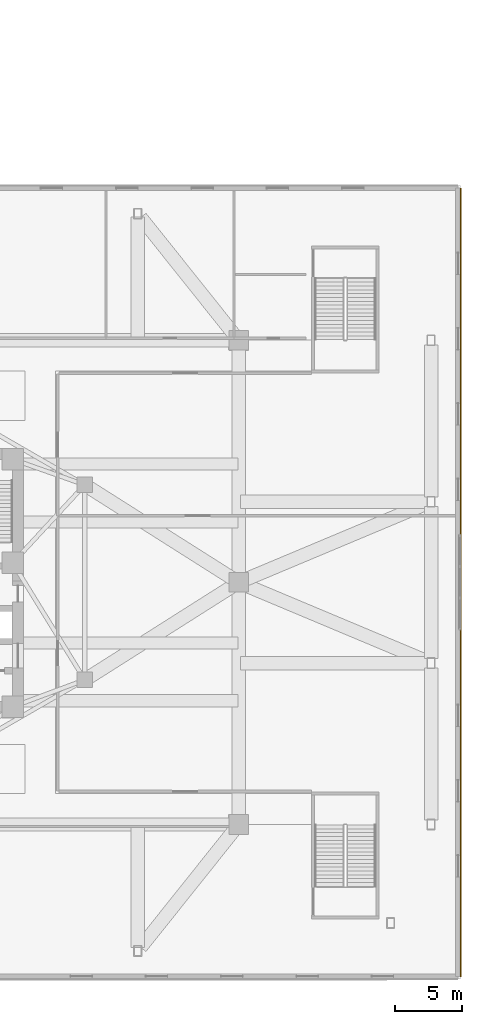
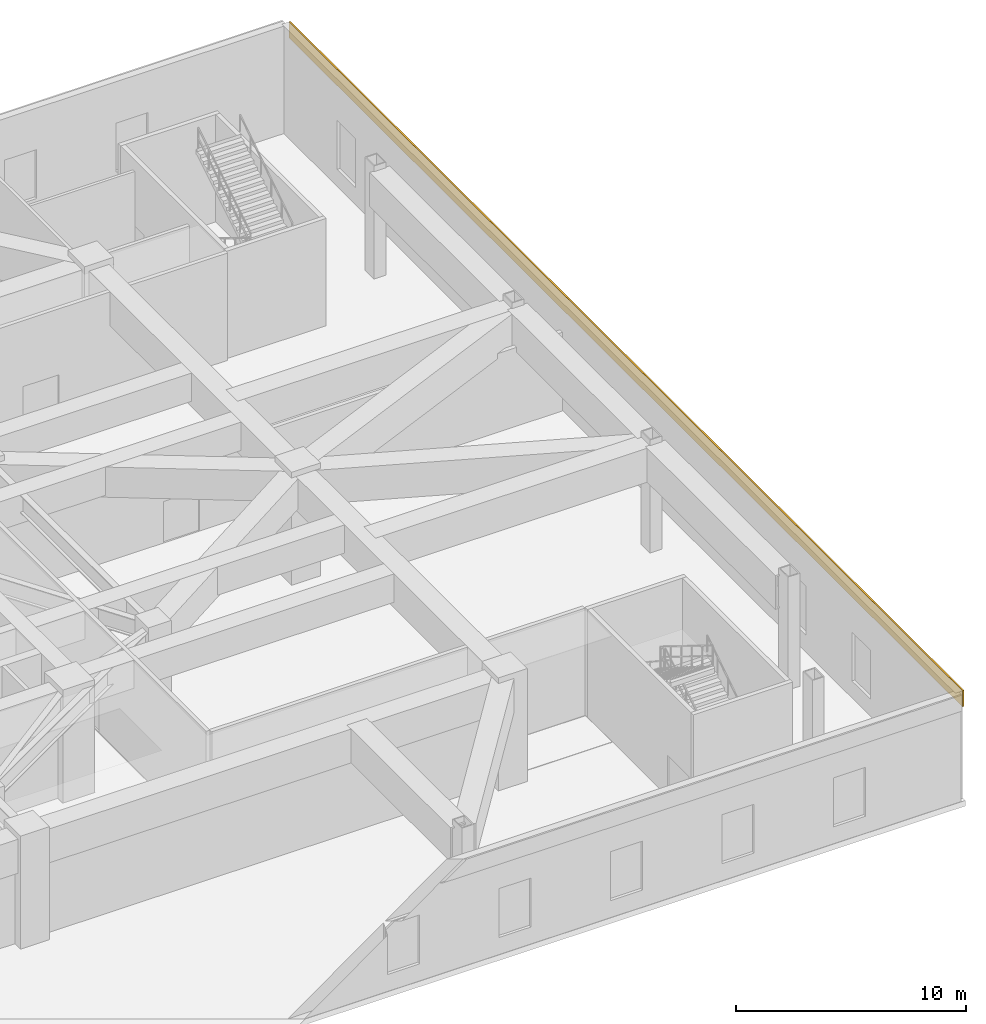
# One storey, part 23 of 24: 1 covering.
"""IFC4 building model written with IfcOpenShell, lengths in metres."""

from ifc_helpers import new_model, si_unit, direction, frame, origin, place, context, subcontext, project, spatial, polyline, outline, extrude, material, layer, layer_set, type_object, element, save


model = new_model("IFC4")

# Units and contexts
model_context = context("Model", 3, precision=1e-05, world=origin(), true_north=direction((0.0, 1.0)))
body_context = subcontext(model_context, "Body", "Model", "MODEL_VIEW")
ifc_project = project(units=[si_unit("LENGTHUNIT", "METRE"), si_unit("AREAUNIT", "SQUARE_METRE"), si_unit("VOLUMEUNIT", "CUBIC_METRE"), si_unit("PLANEANGLEUNIT", "RADIAN"), si_unit("MASSUNIT", "GRAM", prefix="KILO")], contexts=[model_context])

# Site, building, storey
site_placement = place(None, origin())
site = spatial("IfcSite", under=ifc_project, at=site_placement, CompositionType="ELEMENT")
building_placement = place(site_placement, origin())
building = spatial("IfcBuilding", under=site, at=building_placement, Name="Apsidion Concourse Tower", CompositionType="ELEMENT")
storey_placement = place(building_placement, frame((0.0, 0.0, 17.5)))
storey = spatial("IfcBuildingStorey", under=building, at=storey_placement, Name="L03", CompositionType="ELEMENT", Elevation=17.5)

# Covering
ifc_material = material(Name="Reconstituted limestone facade cladding", Category="masonry")
ifc_layer = layer(ifc_material, 0.080078125)
ifc_layer_set = layer_set([ifc_layer], Name="Reconstituted limestone facade cladding")
covering_type = type_object("IfcCoveringType", Name="COV-CLAD-80", PredefinedType="CLADDING", material=ifc_layer_set)
covering_placement = place(storey_placement, frame((0.0, 0.0, 4.85009765625)))
element("IfcCovering", 1, at=covering_placement, inside=storey, type_object=covering_type, Name="L03 Limestone Spandrel Cladding E", PredefinedType="CLADDING", context=body_context, shape_type="SweptSolid", body=[
    extrude(outline(polyline([(40.47998046875, 29.300048828125), (40.47998046875, -29.300048828125), (40.56005859375, -29.300048828125), (40.56005859375, 29.300048828125), (40.47998046875, 29.300048828125)])), origin(), (0.0, 0.0, 1.0), 0.849853515625),
])

save(model, "model.ifc")
